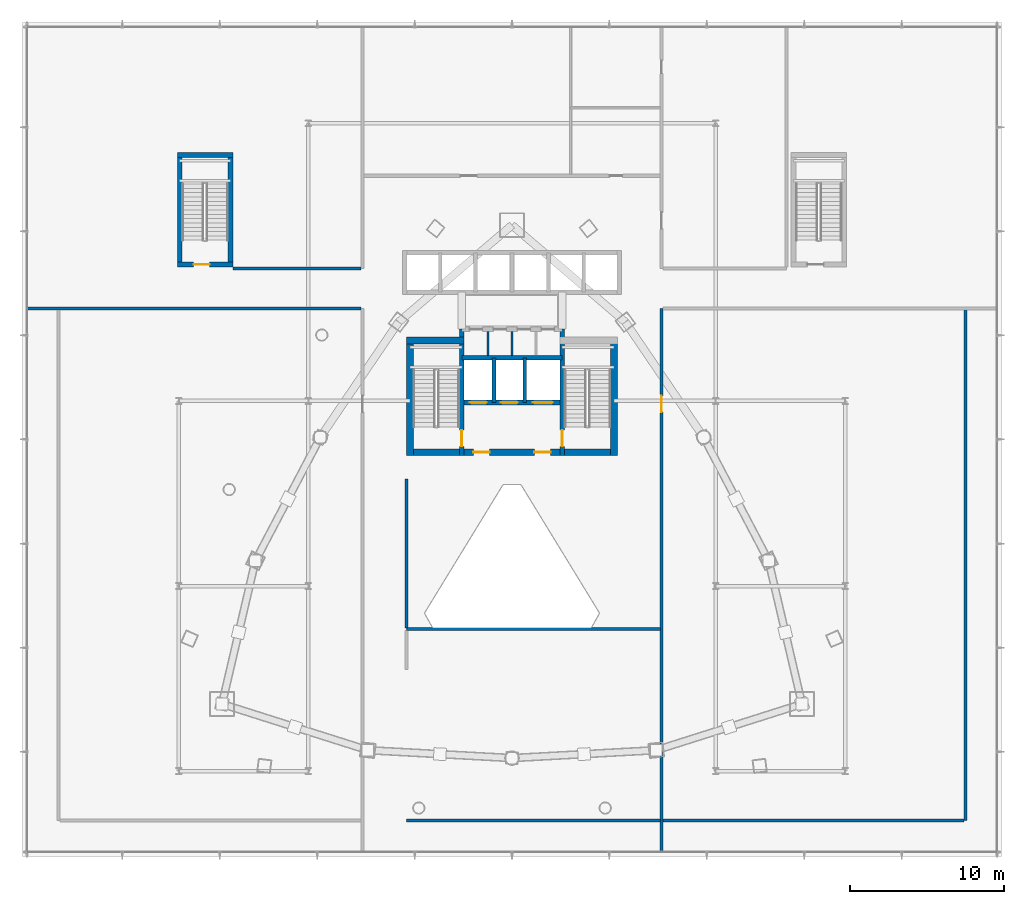
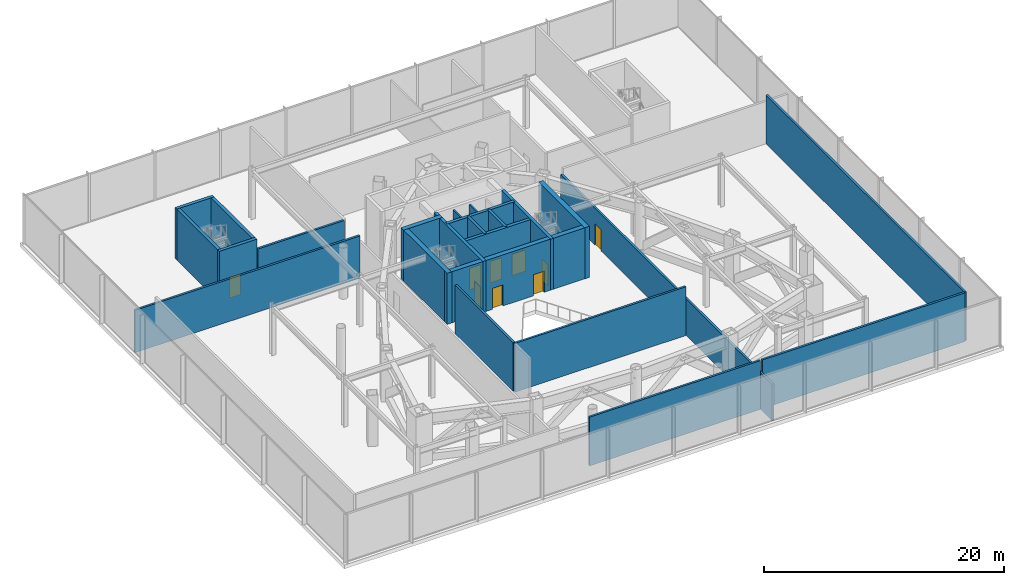
# One storey, part 34 of 43: 24 walls, 9 doors, 9 openings.
"""IFC4 building model written with IfcOpenShell, lengths in metres."""

from ifc_helpers import new_model, si_unit, direction, frame, frame_2d, origin, place, context, subcontext, project, spatial, rectangle, extrude, material, layer, layer_set, type_object, element, fill, save


model = new_model("IFC4")

# Units and contexts
model_context = context("Model", 3, precision=1e-05, world=origin(), true_north=direction((0.0, 1.0)))
body_context = subcontext(model_context, "Body", "Model", "MODEL_VIEW")
ifc_project = project(units=[si_unit("LENGTHUNIT", "METRE"), si_unit("AREAUNIT", "SQUARE_METRE"), si_unit("VOLUMEUNIT", "CUBIC_METRE"), si_unit("PLANEANGLEUNIT", "RADIAN"), si_unit("MASSUNIT", "GRAM", prefix="KILO")], contexts=[model_context])

# Site, building, storey
site_placement = place(None, origin())
site = spatial("IfcSite", under=ifc_project, at=site_placement, CompositionType="ELEMENT")
building_placement = place(site_placement, origin())
building = spatial("IfcBuilding", under=site, at=building_placement, Name="Orvanel Arch Residences", CompositionType="ELEMENT")
storey_placement = place(building_placement, frame((0.0, 0.0, 18.39990234375)))
storey = spatial("IfcBuildingStorey", under=building, at=storey_placement, Name="L04", CompositionType="ELEMENT", Elevation=18.39990234375)

# Walls
ifc_material_1 = material(Name="Concrete N50 (50 MPa)", Category="concrete")
ifc_layer_1 = layer(ifc_material_1, 0.25)
ifc_layer_set_1 = layer_set([ifc_layer_1], Name="Concrete N50 (50 MPa)")
wall_type_1 = type_object("IfcWallType", Name="SW-CORE-250", PredefinedType="SHEAR", material=ifc_layer_set_1)
for number, where, z_axis, x_axis, name in (
    (1, (31.824951171875, 29.89990234375, 0.0), (0.0, 0.0, 1.0), (0.0, 1.0, 0.0), "L04 Emergency Lift Inter-Shaft Wall F12"),
    (2, (33.824951171875, 29.89990234375, 0.0), (0.0, 0.0, 1.0), (0.0, 1.0, 0.0), "L04 Emergency Lift Inter-Shaft Wall F2G"),
):
    element("IfcWall", number, at=place(storey_placement, frame(where, z_axis=z_axis, x_axis=x_axis)), inside=storey, type_object=wall_type_1, Name=name, PredefinedType="SHEAR", context=body_context, shape_type="SweptSolid", body=[
        extrude(rectangle(XDim=2.900146484375, YDim=0.25, at=frame_2d((1.4501953125, 0.0))), origin(), (0.0, 0.0, 1.0), 5.2001953125),
    ])

# Wall, opening, door
ifc_material_2 = material(Name="Concrete S80 (80 MPa)", Category="concrete")
ifc_layer_2 = layer(ifc_material_2, 0.300048828125)
ifc_layer_set_2 = layer_set([ifc_layer_2], Name="Concrete S80 (80 MPa)")
wall_type_2 = type_object("IfcWallType", Name="SW-CORE-300", PredefinedType="SHEAR", material=ifc_layer_set_2)
wall_1_placement = place(storey_placement, frame((29.75, 26.449951171875, 0.0), z_axis=(0.0, 0.0, 1.0), x_axis=(0.0, 1.0, 0.0)))
wall_1 = element("IfcWall", 3, at=wall_1_placement, inside=storey, type_object=wall_type_2, Name="L04 West Inner Core Spine Shear Wall", PredefinedType="SHEAR", context=body_context, shape_type="SweptSolid", body=[
    extrude(rectangle(XDim=8.199951171875, YDim=0.300048828125, at=frame_2d((4.10009765625, 0.0))), origin(), (0.0, 0.0, 1.0), 5.2001953125),
])
opening_1_placement = place(wall_1_placement, frame((0.60009765625, 0.0, 0.0)))
opening_1 = element("IfcOpeningElement", 4, at=opening_1_placement, cuts=wall_1, Name="Opening DF-120", PredefinedType="OPENING", context=body_context, shape_type="SweptSolid", body=[
    extrude(rectangle(XDim=1.050048828125, YDim=2.14990234375, at=frame_2d((0.52490234375, 1.074951171875))), frame((0.0, 0.159912109375, 0.0), z_axis=(0.0, -1.0, 0.0), x_axis=(1.0, 0.0, 0.0)), (0.0, 0.0, 1.0), 0.320068359375),
])
ifc_material_3 = material(Name="Galvanised steel fire-resisting door assembly", Category="steel")
door_type_1 = type_object("IfcDoorType", Name="DR-FD120-1050", OperationType="NOTDEFINED", PredefinedType="DOOR", material=ifc_material_3)
door_1_placement = place(opening_1_placement, origin())
door_1 = element("IfcDoor", 5, at=door_1_placement, inside=storey, type_object=door_type_1, Name="DR-L04-ST1 L04 Stair 1 Fire Door", OperationType="SINGLE_SWING_LEFT", OverallHeight=2.14990234375, OverallWidth=1.050048828125, PredefinedType="DOOR", context=body_context, shape_type="SweptSolid", body=[
    extrude(rectangle(XDim=1.050048828125, YDim=2.14990234375, at=frame_2d((0.52490234375, 1.074951171875))), frame((0.0, 0.02490234375, 0.0), z_axis=(0.0, -1.0, 0.0), x_axis=(1.0, 0.0, 0.0)), (0.0, 0.0, 1.0), 0.050048828125),
])
fill(opening_1, door_1)

wall_2_placement = place(storey_placement, frame((36.25, 26.449951171875, 0.0), z_axis=(0.0, 0.0, 1.0), x_axis=(0.0, 1.0, 0.0)))
wall_2 = element("IfcWall", 6, at=wall_2_placement, inside=storey, type_object=wall_type_2, Name="L04 East Inner Core Spine Shear Wall", PredefinedType="SHEAR", context=body_context, shape_type="SweptSolid", body=[
    extrude(rectangle(XDim=8.199951171875, YDim=0.300048828125, at=frame_2d((4.10009765625, 0.0))), origin(), (0.0, 0.0, 1.0), 5.2001953125),
])
opening_2_placement = place(wall_2_placement, frame((0.60009765625, 0.0, 0.0)))
opening_2 = element("IfcOpeningElement", 7, at=opening_2_placement, cuts=wall_2, Name="Opening DF-120", PredefinedType="OPENING", context=body_context, shape_type="SweptSolid", body=[
    extrude(rectangle(XDim=1.050048828125, YDim=2.14990234375, at=frame_2d((0.52490234375, 1.074951171875))), frame((0.0, 0.159912109375, 0.0), z_axis=(0.0, -1.0, 0.0), x_axis=(1.0, 0.0, 0.0)), (0.0, 0.0, 1.0), 0.320068359375),
])
door_2_placement = place(opening_2_placement, origin())
door_2 = element("IfcDoor", 8, at=door_2_placement, inside=storey, type_object=door_type_1, Name="DR-L04-ST2 L04 Stair 2 Fire Door", OperationType="SINGLE_SWING_RIGHT", OverallHeight=2.14990234375, OverallWidth=1.050048828125, PredefinedType="DOOR", context=body_context, shape_type="SweptSolid", body=[
    extrude(rectangle(XDim=1.050048828125, YDim=2.14990234375, at=frame_2d((0.52490234375, 1.074951171875))), frame((0.0, 0.02490234375, 0.0), z_axis=(0.0, -1.0, 0.0), x_axis=(1.0, 0.0, 0.0)), (0.0, 0.0, 1.0), 0.050048828125),
])
fill(opening_2, door_2)

# Wall, openings, doors
wall_3_placement = place(storey_placement, frame((36.25, 29.89990234375, 0.0), z_axis=(0.0, 0.0, 1.0), x_axis=(-1.0, 0.0, 0.0)))
wall_3 = element("IfcWall", 9, at=wall_3_placement, inside=storey, type_object=wall_type_2, Name="L04 Emergency Lift Front Core Shear Wall", PredefinedType="SHEAR", context=body_context, shape_type="SweptSolid", body=[
    extrude(rectangle(XDim=6.5, YDim=0.300048828125, at=frame_2d((3.25, 0.0))), origin(), (0.0, 0.0, 1.0), 5.2001953125),
])
opening_3_placement = place(wall_3_placement, frame((4.875, 0.0, 0.0)))
opening_3 = element("IfcOpeningElement", 10, at=opening_3_placement, cuts=wall_3, Name="Opening LD-110", PredefinedType="OPENING", context=body_context, shape_type="SweptSolid", body=[
    extrude(rectangle(XDim=1.10009765625, YDim=2.199951171875, at=frame_2d((0.550048828125, 1.10009765625))), frame((0.0, 0.159912109375, 0.0), z_axis=(0.0, -1.0, 0.0), x_axis=(1.0, 0.0, 0.0)), (0.0, 0.0, 1.0), 0.320068359375),
])
opening_4_placement = place(wall_3_placement, frame((2.875, 0.0, 0.0)))
opening_4 = element("IfcOpeningElement", 11, at=opening_4_placement, cuts=wall_3, Name="Opening LD-110", PredefinedType="OPENING", context=body_context, shape_type="SweptSolid", body=[
    extrude(rectangle(XDim=1.10009765625, YDim=2.199951171875, at=frame_2d((0.550048828125, 1.10009765625))), frame((0.0, 0.159912109375, 0.0), z_axis=(0.0, -1.0, 0.0), x_axis=(1.0, 0.0, 0.0)), (0.0, 0.0, 1.0), 0.320068359375),
])
opening_5_placement = place(wall_3_placement, frame((0.60009765625, 0.0, 0.0)))
opening_5 = element("IfcOpeningElement", 12, at=opening_5_placement, cuts=wall_3, Name="Opening LD-130", PredefinedType="OPENING", context=body_context, shape_type="SweptSolid", body=[
    extrude(rectangle(XDim=1.300048828125, YDim=2.199951171875, at=frame_2d((0.64990234375, 1.10009765625))), frame((0.0, 0.159912109375, 0.0), z_axis=(0.0, -1.0, 0.0), x_axis=(1.0, 0.0, 0.0)), (0.0, 0.0, 1.0), 0.320068359375),
])
door_type_2 = type_object("IfcDoorType", Name="DR-LFT-1100", OperationType="NOTDEFINED", PredefinedType="DOOR", material=ifc_material_3)
door_3_placement = place(opening_3_placement, origin())
door_3 = element("IfcDoor", 13, at=door_3_placement, inside=storey, type_object=door_type_2, Name="LD-F1-L04 L04 Lift F1 Sliding Landing Door", OperationType="DOUBLE_DOOR_SLIDING", OverallHeight=2.199951171875, OverallWidth=1.10009765625, PredefinedType="DOOR", context=body_context, shape_type="SweptSolid", body=[
    extrude(rectangle(XDim=1.10009765625, YDim=2.199951171875, at=frame_2d((0.550048828125, 1.10009765625))), frame((0.0, 0.02490234375, 0.0), z_axis=(0.0, -1.0, 0.0), x_axis=(1.0, 0.0, 0.0)), (0.0, 0.0, 1.0), 0.050048828125),
])
fill(opening_3, door_3)
door_4_placement = place(opening_4_placement, origin())
door_4 = element("IfcDoor", 14, at=door_4_placement, inside=storey, type_object=door_type_2, Name="LD-F2-L04 L04 Lift F2 Sliding Landing Door", OperationType="DOUBLE_DOOR_SLIDING", OverallHeight=2.199951171875, OverallWidth=1.10009765625, PredefinedType="DOOR", context=body_context, shape_type="SweptSolid", body=[
    extrude(rectangle(XDim=1.10009765625, YDim=2.199951171875, at=frame_2d((0.550048828125, 1.10009765625))), frame((0.0, 0.02490234375, 0.0), z_axis=(0.0, -1.0, 0.0), x_axis=(1.0, 0.0, 0.0)), (0.0, 0.0, 1.0), 0.050048828125),
])
fill(opening_4, door_4)
door_type_3 = type_object("IfcDoorType", Name="DR-LFT-1300", OperationType="NOTDEFINED", PredefinedType="DOOR", material=ifc_material_3)
door_5_placement = place(opening_5_placement, origin())
door_5 = element("IfcDoor", 15, at=door_5_placement, inside=storey, type_object=door_type_3, Name="LD-G1-L04 L04 Lift G1 Sliding Landing Door", OperationType="DOUBLE_DOOR_SLIDING", OverallHeight=2.199951171875, OverallWidth=1.300048828125, PredefinedType="DOOR", context=body_context, shape_type="SweptSolid", body=[
    extrude(rectangle(XDim=1.300048828125, YDim=2.199951171875, at=frame_2d((0.64990234375, 1.10009765625))), frame((0.0, 0.02490234375, 0.0), z_axis=(0.0, -1.0, 0.0), x_axis=(1.0, 0.0, 0.0)), (0.0, 0.0, 1.0), 0.050048828125),
])
fill(opening_5, door_5)

# Walls
wall_4_placement = place(storey_placement, frame((29.75, 32.800048828125, 0.0), z_axis=(0.0, 0.0, 1.0), x_axis=(1.0, 0.0, 0.0)))
element("IfcWall", 16, at=wall_4_placement, inside=storey, type_object=wall_type_2, Name="L04 Emergency Lift Back Core Shear Wall", PredefinedType="SHEAR", context=body_context, shape_type="SweptSolid", body=[
    extrude(rectangle(XDim=6.5, YDim=0.300048828125, at=frame_2d((3.25, 0.0))), origin(), (0.0, 0.0, 1.0), 5.2001953125),
])
for number, where, z_axis, x_axis, name in (
    (17, (11.449951171875, 38.699951171875, 0.0), (0.0, 0.0, 1.0), (0.0, 1.0, 0.0), "L04 ST3 West Shear Wall"),
    (18, (14.75, 38.699951171875, 0.0), (0.0, 0.0, 1.0), (0.0, 1.0, 0.0), "L04 ST3 East Shear Wall"),
):
    element("IfcWall", number, at=place(storey_placement, frame(where, z_axis=z_axis, x_axis=x_axis)), inside=storey, type_object=wall_type_2, Name=name, PredefinedType="SHEAR", context=body_context, shape_type="SweptSolid", body=[
        extrude(rectangle(XDim=7.400146484375, YDim=0.300048828125, at=frame_2d((3.7001953125, 0.0))), origin(), (0.0, 0.0, 1.0), 5.2001953125),
    ])
wall_5_placement = place(storey_placement, frame((11.300048828125, 45.949951171875, 0.0), z_axis=(0.0, 0.0, 1.0), x_axis=(1.0, 0.0, 0.0)))
element("IfcWall", 19, at=wall_5_placement, inside=storey, type_object=wall_type_2, Name="L04 ST3 North Shear Wall", PredefinedType="SHEAR", context=body_context, shape_type="SweptSolid", body=[
    extrude(rectangle(XDim=3.599853515625, YDim=0.300048828125, at=frame_2d((1.7998046875, 0.0))), origin(), (0.0, 0.0, 1.0), 5.2001953125),
])

# Wall, opening, door
wall_6_placement = place(storey_placement, frame((11.300048828125, 38.85009765625, 0.0), z_axis=(0.0, 0.0, 1.0), x_axis=(1.0, 0.0, 0.0)))
wall_6 = element("IfcWall", 20, at=wall_6_placement, inside=storey, type_object=wall_type_2, Name="L04 ST3 South Shear Wall", PredefinedType="SHEAR", context=body_context, shape_type="SweptSolid", body=[
    extrude(rectangle(XDim=3.599853515625, YDim=0.300048828125, at=frame_2d((1.7998046875, 0.0))), origin(), (0.0, 0.0, 1.0), 5.2001953125),
])
opening_6_placement = place(wall_6_placement, frame((1.050048828125, 0.0, 0.0)))
opening_6 = element("IfcOpeningElement", 21, at=opening_6_placement, cuts=wall_6, Name="Opening DF-120", PredefinedType="OPENING", context=body_context, shape_type="SweptSolid", body=[
    extrude(rectangle(XDim=1.050048828125, YDim=2.14990234375, at=frame_2d((0.52490234375, 1.074951171875))), frame((0.0, 0.159912109375, 0.0), z_axis=(0.0, -1.0, 0.0), x_axis=(1.0, 0.0, 0.0)), (0.0, 0.0, 1.0), 0.320068359375),
])
door_6_placement = place(opening_6_placement, origin())
door_6 = element("IfcDoor", 22, at=door_6_placement, inside=storey, type_object=door_type_1, Name="DR-L04-ST3 L04 ST3 Exit Door", OperationType="SINGLE_SWING_LEFT", OverallHeight=2.14990234375, OverallWidth=1.050048828125, PredefinedType="DOOR", context=body_context, shape_type="SweptSolid", body=[
    extrude(rectangle(XDim=1.050048828125, YDim=2.14990234375, at=frame_2d((0.52490234375, 1.074951171875))), frame((0.0, 0.02490234375, 0.0), z_axis=(0.0, -1.0, 0.0), x_axis=(1.0, 0.0, 0.0)), (0.0, 0.0, 1.0), 0.050048828125),
])
fill(opening_6, door_6)

# Wall, openings, doors
ifc_layer_3 = layer(ifc_material_2, 0.449951171875)
ifc_layer_set_3 = layer_set([ifc_layer_3], Name="Concrete S80 (80 MPa)")
wall_type_3 = type_object("IfcWallType", Name="SW-CORE-450", PredefinedType="SHEAR", material=ifc_layer_set_3)
wall_7_placement = place(storey_placement, frame((26.14990234375, 26.675048828125, 0.0), z_axis=(0.0, 0.0, 1.0), x_axis=(1.0, 0.0, 0.0)))
wall_7 = element("IfcWall", 23, at=wall_7_placement, inside=storey, type_object=wall_type_3, Name="L04 South Core Shear Wall", PredefinedType="SHEAR", context=body_context, shape_type="SweptSolid", body=[
    extrude(rectangle(XDim=13.7001953125, YDim=0.449951171875, at=frame_2d((6.85009765625, 0.0))), origin(), (0.0, 0.0, 1.0), 5.2001953125),
])
opening_7_placement = place(wall_7_placement, frame((4.35009765625, 0.0, 0.0)))
opening_7 = element("IfcOpeningElement", 24, at=opening_7_placement, cuts=wall_7, Name="Opening DF-060", PredefinedType="OPENING", context=body_context, shape_type="SweptSolid", body=[
    extrude(rectangle(XDim=1.050048828125, YDim=2.14990234375, at=frame_2d((0.52490234375, 1.074951171875))), frame((0.0, 0.23486328125, 0.0), z_axis=(0.0, -1.0, 0.0), x_axis=(1.0, 0.0, 0.0)), (0.0, 0.0, 1.0), 0.469970703125),
])
opening_8_placement = place(wall_7_placement, frame((8.300048828125, 0.0, 0.0)))
opening_8 = element("IfcOpeningElement", 25, at=opening_8_placement, cuts=wall_7, Name="Opening DF-060", PredefinedType="OPENING", context=body_context, shape_type="SweptSolid", body=[
    extrude(rectangle(XDim=1.050048828125, YDim=2.14990234375, at=frame_2d((0.52490234375, 1.074951171875))), frame((0.0, 0.23486328125, 0.0), z_axis=(0.0, -1.0, 0.0), x_axis=(1.0, 0.0, 0.0)), (0.0, 0.0, 1.0), 0.469970703125),
])
door_type_4 = type_object("IfcDoorType", Name="DR-FD60-1050", OperationType="NOTDEFINED", PredefinedType="DOOR", material=ifc_material_3)
door_7_placement = place(opening_7_placement, origin())
door_7 = element("IfcDoor", 26, at=door_7_placement, inside=storey, type_object=door_type_4, Name="DR-L04-FFL-W L04 West Smoke Lobby Door", OperationType="SINGLE_SWING_LEFT", OverallHeight=2.14990234375, OverallWidth=1.050048828125, PredefinedType="DOOR", context=body_context, shape_type="SweptSolid", body=[
    extrude(rectangle(XDim=1.050048828125, YDim=2.14990234375, at=frame_2d((0.52490234375, 1.074951171875))), frame((0.0, 0.02490234375, 0.0), z_axis=(0.0, -1.0, 0.0), x_axis=(1.0, 0.0, 0.0)), (0.0, 0.0, 1.0), 0.050048828125),
])
fill(opening_7, door_7)
door_8_placement = place(opening_8_placement, origin())
door_8 = element("IfcDoor", 27, at=door_8_placement, inside=storey, type_object=door_type_4, Name="DR-L04-FFL-E L04 East Smoke Lobby Door", OperationType="SINGLE_SWING_RIGHT", OverallHeight=2.14990234375, OverallWidth=1.050048828125, PredefinedType="DOOR", context=body_context, shape_type="SweptSolid", body=[
    extrude(rectangle(XDim=1.050048828125, YDim=2.14990234375, at=frame_2d((0.52490234375, 1.074951171875))), frame((0.0, 0.02490234375, 0.0), z_axis=(0.0, -1.0, 0.0), x_axis=(1.0, 0.0, 0.0)), (0.0, 0.0, 1.0), 0.050048828125),
])
fill(opening_8, door_8)

# Walls
wall_8_placement = place(storey_placement, frame((26.375, 26.449951171875, 0.0), z_axis=(0.0, 0.0, 1.0), x_axis=(0.0, 1.0, 0.0)))
element("IfcWall", 28, at=wall_8_placement, inside=storey, type_object=wall_type_3, Name="L04 West Stair Shear Wall", PredefinedType="SHEAR", context=body_context, shape_type="SweptSolid", body=[
    extrude(rectangle(XDim=7.699951171875, YDim=0.449951171875, at=frame_2d((3.85009765625, 0.0))), origin(), (0.0, 0.0, 1.0), 5.2001953125),
])
wall_9_placement = place(storey_placement, frame((26.14990234375, 33.925048828125, 0.0), z_axis=(0.0, 0.0, 1.0), x_axis=(1.0, 0.0, 0.0)))
element("IfcWall", 29, at=wall_9_placement, inside=storey, type_object=wall_type_3, Name="L04 West Stair North Shear Wall", PredefinedType="SHEAR", context=body_context, shape_type="SweptSolid", body=[
    extrude(rectangle(XDim=3.75, YDim=0.449951171875, at=frame_2d((1.875, 0.0))), origin(), (0.0, 0.0, 1.0), 5.2001953125),
])
wall_10_placement = place(storey_placement, frame((39.625, 26.449951171875, 0.0), z_axis=(0.0, 0.0, 1.0), x_axis=(0.0, 1.0, 0.0)))
element("IfcWall", 30, at=wall_10_placement, inside=storey, type_object=wall_type_3, Name="L04 East Stair Shear Wall", PredefinedType="SHEAR", context=body_context, shape_type="SweptSolid", body=[
    extrude(rectangle(XDim=7.699951171875, YDim=0.449951171875, at=frame_2d((3.85009765625, 0.0))), origin(), (0.0, 0.0, 1.0), 5.2001953125),
])
ifc_material_4 = material(Name="Fire-rated plasterboard lined steel stud partition", Category="steel")
ifc_layer_4 = layer(ifc_material_4, 0.199951171875)
ifc_layer_set_4 = layer_set([ifc_layer_4], Name="Fire-rated plasterboard lined steel stud partition")
wall_type_4 = type_object("IfcWallType", Name="W-PLT-200", PredefinedType="PARTITIONING", material=ifc_layer_set_4)
wall_11_placement = place(storey_placement, frame((1.56494140625, 36.0, 0.0), z_axis=(0.0, 0.0, 1.0), x_axis=(1.0, 0.0, 0.0)))
element("IfcWall", 31, at=wall_11_placement, inside=storey, type_object=wall_type_4, Name="L04 West Wing North Wall", PredefinedType="PARTITIONING", context=body_context, shape_type="SweptSolid", body=[
    extrude(rectangle(XDim=21.650146484375, YDim=0.199951171875, at=frame_2d((10.8251953125, 0.0))), origin(), (0.0, 0.0, 1.0), 4.31298828125),
])

# Wall, opening, door
wall_12_placement = place(storey_placement, frame((42.699951171875, 0.764892578125, 0.0), z_axis=(0.0, 0.0, 1.0), x_axis=(0.0, 1.0, 0.0)))
wall_12 = element("IfcWall", 32, at=wall_12_placement, inside=storey, type_object=wall_type_4, Name="L04 East Wing Corridor Wall", PredefinedType="PARTITIONING", context=body_context, shape_type="SweptSolid", body=[
    extrude(rectangle(XDim=35.235107421875, YDim=0.199951171875, at=frame_2d((17.61767578125, 0.0))), origin(), (0.0, 0.0, 1.0), 3.72509765625),
])
opening_9_placement = place(wall_12_placement, frame((28.510009765625, 0.0, 0.0)))
opening_9 = element("IfcOpeningElement", 33, at=opening_9_placement, cuts=wall_12, Name="Opening DF-120", PredefinedType="OPENING", context=body_context, shape_type="SweptSolid", body=[
    extrude(rectangle(XDim=1.050048828125, YDim=2.14990234375, at=frame_2d((0.52490234375, 1.074951171875))), frame((0.0, 0.10986328125, 0.0), z_axis=(0.0, -1.0, 0.0), x_axis=(1.0, 0.0, 0.0)), (0.0, 0.0, 1.0), 0.219970703125),
])
door_9_placement = place(opening_9_placement, origin())
door_9 = element("IfcDoor", 34, at=door_9_placement, inside=storey, type_object=door_type_1, Name="DR-L04-SE L04 East Booster Pump Plant Room Door", OperationType="SINGLE_SWING_RIGHT", OverallHeight=2.14990234375, OverallWidth=1.050048828125, PredefinedType="DOOR", context=body_context, shape_type="SweptSolid", body=[
    extrude(rectangle(XDim=1.050048828125, YDim=2.14990234375, at=frame_2d((0.52490234375, 1.074951171875))), frame((0.0, 0.02490234375, 0.0), z_axis=(0.0, -1.0, 0.0), x_axis=(1.0, 0.0, 0.0)), (0.0, 0.0, 1.0), 0.050048828125),
])
fill(opening_9, door_9)

# Walls
wall_13_placement = place(storey_placement, frame((62.39990234375, 2.800048828125, 0.0), z_axis=(0.0, 0.0, 1.0), x_axis=(0.0, 1.0, 0.0)))
element("IfcWall", 35, at=wall_13_placement, inside=storey, type_object=wall_type_4, Name="L04 East Transfer Truss Separation Wall", PredefinedType="PARTITIONING", context=body_context, shape_type="SweptSolid", body=[
    extrude(rectangle(XDim=33.114990234375, YDim=0.199951171875, at=frame_2d((16.5576171875, 0.0))), origin(), (0.0, 0.0, 1.0), 4.960205078125),
])
wall_14_placement = place(storey_placement, frame((42.784912109375, 2.800048828125, 0.0), z_axis=(0.0, 0.0, 1.0), x_axis=(1.0, 0.0, 0.0)))
element("IfcWall", 36, at=wall_14_placement, inside=storey, type_object=wall_type_4, Name="L04 SE Transfer Truss Separation Wall", PredefinedType="PARTITIONING", context=body_context, shape_type="SweptSolid", body=[
    extrude(rectangle(XDim=19.530029296875, YDim=0.199951171875, at=frame_2d((9.76513671875, 0.0))), origin(), (0.0, 0.0, 1.0), 4.960205078125),
])
wall_15_placement = place(storey_placement, frame((14.89990234375, 38.60009765625, 0.0), z_axis=(0.0, 0.0, 1.0), x_axis=(1.0, 0.0, 0.0)))
element("IfcWall", 37, at=wall_15_placement, inside=storey, type_object=wall_type_4, Name="L04 NW Corridor South Wall", PredefinedType="PARTITIONING", context=body_context, shape_type="SweptSolid", body=[
    extrude(rectangle(XDim=8.315185546875, YDim=0.199951171875, at=frame_2d((4.15771484375, 0.0))), origin(), (0.0, 0.0, 1.0), 4.31298828125),
])
wall_16_placement = place(storey_placement, frame((26.14990234375, 15.199951171875, 0.0), z_axis=(0.0, 0.0, 1.0), x_axis=(1.0, 0.0, 0.0)))
element("IfcWall", 38, at=wall_16_placement, inside=storey, type_object=wall_type_4, Name="L04 South Bay N Wall", PredefinedType="PARTITIONING", context=body_context, shape_type="SweptSolid", body=[
    extrude(rectangle(XDim=16.465087890625, YDim=0.199951171875, at=frame_2d((8.232421875, 0.0))), origin(), (0.0, 0.0, 1.0), 4.960205078125),
])
wall_17_placement = place(storey_placement, frame((26.14990234375, 15.284912109375, 0.0), z_axis=(0.0, 0.0, 1.0), x_axis=(0.0, 1.0, 0.0)))
element("IfcWall", 39, at=wall_17_placement, inside=storey, type_object=wall_type_4, Name="L04 SW Link E Wall", PredefinedType="PARTITIONING", context=body_context, shape_type="SweptSolid", body=[
    extrude(rectangle(XDim=9.6650390625, YDim=0.199951171875, at=frame_2d((4.83251953125, 0.0))), origin(), (0.0, 0.0, 1.0), 4.960205078125),
])
wall_18_placement = place(storey_placement, frame((26.14990234375, 2.800048828125, 0.0), z_axis=(0.0, 0.0, 1.0), x_axis=(1.0, 0.0, 0.0)))
element("IfcWall", 40, at=wall_18_placement, inside=storey, type_object=wall_type_4, Name="L04 South Central Transfer Truss Wall", PredefinedType="PARTITIONING", context=body_context, shape_type="SweptSolid", body=[
    extrude(rectangle(XDim=16.465087890625, YDim=0.199951171875, at=frame_2d((8.232421875, 0.0))), origin(), (0.0, 0.0, 1.0), 4.960205078125),
])
ifc_layer_5 = layer(ifc_material_4, 0.14990234375)
ifc_layer_set_5 = layer_set([ifc_layer_5], Name="Fire-rated plasterboard lined steel stud partition")
wall_type_5 = type_object("IfcWallType", Name="W-ST-150", PredefinedType="PARTITIONING", material=ifc_layer_set_5)
for number, where, z_axis, x_axis, name in (
    (41, (31.449951171875, 32.93505859375, 0.0), (0.0, 0.0, 1.0), (0.0, 1.0, 0.0), "L04 Core Service Partition 1"),
    (42, (33.0, 32.93505859375, 0.0), (0.0, 0.0, 1.0), (0.0, 1.0, 0.0), "L04 Core Service Partition 2"),
):
    element("IfcWall", number, at=place(storey_placement, frame(where, z_axis=z_axis, x_axis=x_axis)), inside=storey, type_object=wall_type_5, Name=name, PredefinedType="PARTITIONING", context=body_context, shape_type="SweptSolid", body=[
        extrude(rectangle(XDim=1.579833984375, YDim=0.14990234375, at=frame_2d((0.7900390625, 0.0))), origin(), (0.0, 0.0, 1.0), 4.960205078125),
    ])

save(model, "model.ifc")
